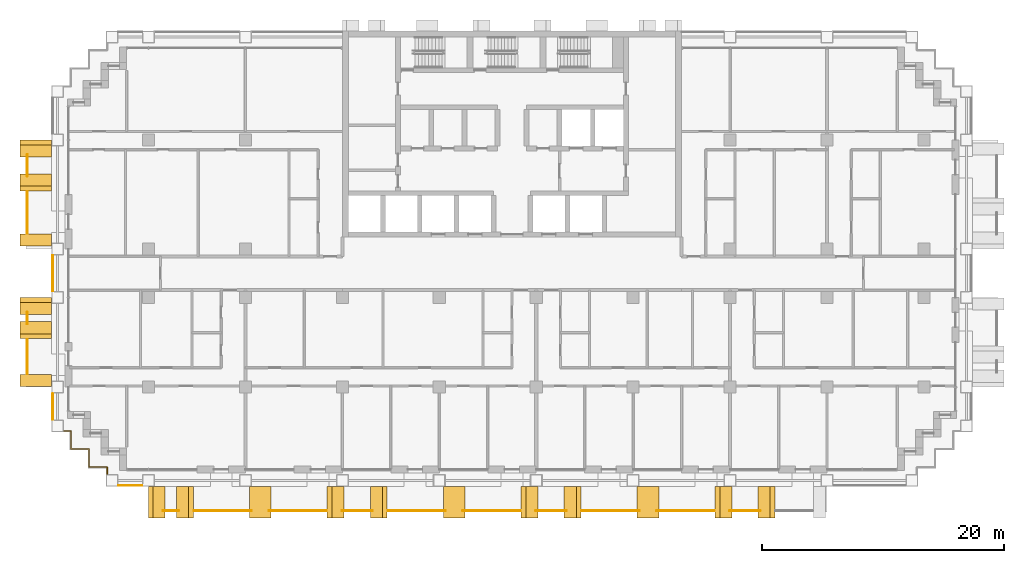
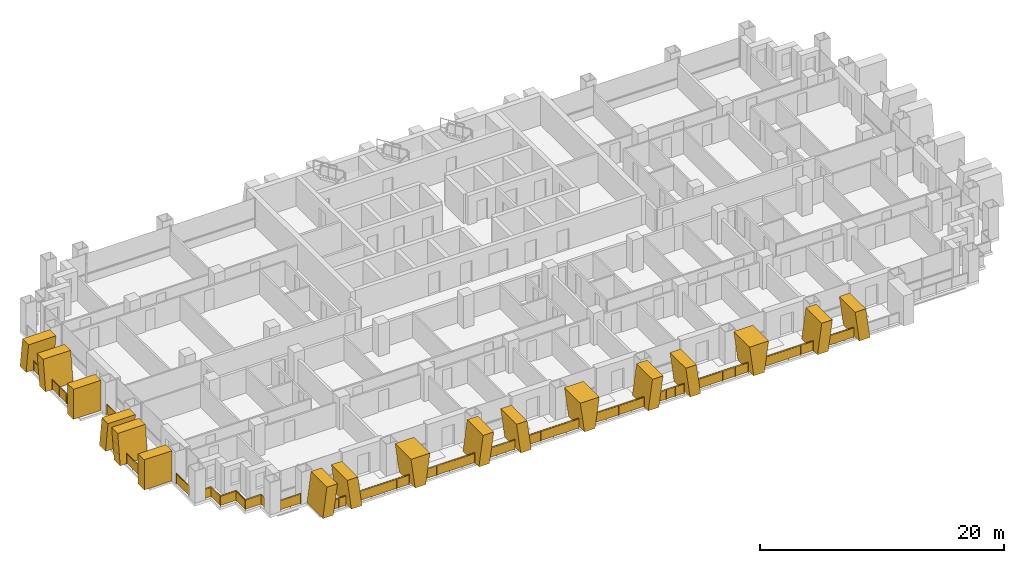
# One storey, part 15 of 18: 18 railings, 17 shading devices.
"""IFC4 building model written with IfcOpenShell, lengths in metres."""

from ifc_helpers import new_model, si_unit, direction, frame, origin, origin_2d, place, context, subcontext, project, spatial, polyline, rectangle, circle, outline, extrude, material, layer, layer_set, type_object, element, save


model = new_model("IFC4")

# Units and contexts
model_context = context("Model", 3, precision=1e-05, world=origin(), true_north=direction((0.0, 1.0)))
body_context = subcontext(model_context, "Body", "Model", "MODEL_VIEW")
ifc_project = project(units=[si_unit("LENGTHUNIT", "METRE"), si_unit("AREAUNIT", "SQUARE_METRE"), si_unit("VOLUMEUNIT", "CUBIC_METRE"), si_unit("PLANEANGLEUNIT", "RADIAN"), si_unit("MASSUNIT", "GRAM", prefix="KILO")], contexts=[model_context])

# Site, building, storey
site_placement = place(None, origin())
site = spatial("IfcSite", under=ifc_project, at=site_placement, CompositionType="ELEMENT")
building_placement = place(site_placement, origin())
building = spatial("IfcBuilding", under=site, at=building_placement, Name="Vidyagriha Tower", CompositionType="ELEMENT")
storey_placement = place(building_placement, frame((0.0, 0.0, 41.60009765625)))
storey = spatial("IfcBuildingStorey", under=building, at=storey_placement, Name="L10", CompositionType="ELEMENT", Elevation=41.60009765625)

# Railings
ifc_material_1 = material(Name="Steel ASTM A500 Grade C black painted", Category="steel")
railing_type_1 = type_object("IfcRailingType", Name="Balcony guard 1100", PredefinedType="BALUSTRADE", material=ifc_material_1)
railing_1_placement = place(storey_placement, frame((-40.0, 9.796630859375, 0.0)))
element("IfcRailing", 1, at=railing_1_placement, inside=storey, type_object=railing_type_1, Name="Balcony guard L10 R16.1-1", PredefinedType="BALUSTRADE", context=body_context, shape_type="SweptSolid", body=[
    extrude(circle(Radius=0.02490234375, at=origin_2d()), frame((0.0, 0.0, 1.0751953125), z_axis=(0.0, -1.0, 0.0), x_axis=(1.0, 0.0, 0.0)), (0.0, 0.0, 1.0), 1.793212890625),
    extrude(circle(Radius=0.02001953125, at=origin_2d()), origin(), (0.0, 0.0, 1.0), 1.050048828125),
    extrude(circle(Radius=0.02001953125, at=origin_2d()), frame((0.0, -0.896484375, 0.0)), (0.0, 0.0, 1.0), 1.050048828125),
    extrude(circle(Radius=0.02001953125, at=origin_2d()), frame((0.0, -1.793212890625, 0.0)), (0.0, 0.0, 1.0), 1.050048828125),
    extrude(rectangle(XDim=0.010009765625, YDim=0.900146484375, at=origin_2d()), frame((0.0, 0.0, 0.550048828125), z_axis=(0.0, -1.0, 0.0), x_axis=(1.0, 0.0, 0.0)), (0.0, 0.0, 1.0), 1.793212890625),
])
railing_2_placement = place(storey_placement, frame((-40.0, 6.75, 0.0)))
element("IfcRailing", 2, at=railing_2_placement, inside=storey, type_object=railing_type_1, Name="Balcony guard L10 R16.1-2", PredefinedType="BALUSTRADE", context=body_context, shape_type="SweptSolid", body=[
    extrude(circle(Radius=0.02490234375, at=origin_2d()), frame((0.0, 0.0, 1.0751953125), z_axis=(0.0, -1.0, 0.0), x_axis=(1.0, 0.0, 0.0)), (0.0, 0.0, 1.0), 3.449951171875),
    extrude(circle(Radius=0.02001953125, at=origin_2d()), origin(), (0.0, 0.0, 1.0), 1.050048828125),
    extrude(circle(Radius=0.02001953125, at=origin_2d()), frame((0.0, -1.14990234375, 0.0)), (0.0, 0.0, 1.0), 1.050048828125),
    extrude(circle(Radius=0.02001953125, at=origin_2d()), frame((0.0, -2.300048828125, 0.0)), (0.0, 0.0, 1.0), 1.050048828125),
    extrude(circle(Radius=0.02001953125, at=origin_2d()), frame((0.0, -3.449951171875, 0.0)), (0.0, 0.0, 1.0), 1.050048828125),
    extrude(rectangle(XDim=0.010009765625, YDim=0.900146484375, at=origin_2d()), frame((0.0, 0.0, 0.550048828125), z_axis=(0.0, -1.0, 0.0), x_axis=(1.0, 0.0, 0.0)), (0.0, 0.0, 1.0), 3.449951171875),
])
railing_3_placement = place(storey_placement, frame((-40.0, -3.203369140625, 0.0)))
element("IfcRailing", 3, at=railing_3_placement, inside=storey, type_object=railing_type_1, Name="Balcony guard L10 R16.2-1", PredefinedType="BALUSTRADE", context=body_context, shape_type="SweptSolid", body=[
    extrude(circle(Radius=0.02490234375, at=origin_2d()), frame((0.0, 0.0, 1.0751953125), z_axis=(0.0, -1.0, 0.0), x_axis=(1.0, 0.0, 0.0)), (0.0, 0.0, 1.0), 0.993408203125),
    extrude(circle(Radius=0.02001953125, at=origin_2d()), origin(), (0.0, 0.0, 1.0), 1.050048828125),
    extrude(circle(Radius=0.02001953125, at=origin_2d()), frame((0.0, -0.993408203125, 0.0)), (0.0, 0.0, 1.0), 1.050048828125),
    extrude(rectangle(XDim=0.010009765625, YDim=0.900146484375, at=origin_2d()), frame((0.0, 0.0, 0.550048828125), z_axis=(0.0, -1.0, 0.0), x_axis=(1.0, 0.0, 0.0)), (0.0, 0.0, 1.0), 0.993408203125),
])
railing_4_placement = place(storey_placement, frame((-40.0, -5.449951171875, 0.0)))
element("IfcRailing", 4, at=railing_4_placement, inside=storey, type_object=railing_type_1, Name="Balcony guard L10 R16.2-2", PredefinedType="BALUSTRADE", context=body_context, shape_type="SweptSolid", body=[
    extrude(circle(Radius=0.02490234375, at=origin_2d()), frame((0.0, 0.0, 1.0751953125), z_axis=(0.0, -1.0, 0.0), x_axis=(1.0, 0.0, 0.0)), (0.0, 0.0, 1.0), 2.85009765625),
    extrude(circle(Radius=0.02001953125, at=origin_2d()), origin(), (0.0, 0.0, 1.0), 1.050048828125),
    extrude(circle(Radius=0.02001953125, at=origin_2d()), frame((0.0, -0.949951171875, 0.0)), (0.0, 0.0, 1.0), 1.050048828125),
    extrude(circle(Radius=0.02001953125, at=origin_2d()), frame((0.0, -1.900146484375, 0.0)), (0.0, 0.0, 1.0), 1.050048828125),
    extrude(circle(Radius=0.02001953125, at=origin_2d()), frame((0.0, -2.85009765625, 0.0)), (0.0, 0.0, 1.0), 1.050048828125),
    extrude(rectangle(XDim=0.010009765625, YDim=0.900146484375, at=origin_2d()), frame((0.0, 0.0, 0.550048828125), z_axis=(0.0, -1.0, 0.0), x_axis=(1.0, 0.0, 0.0)), (0.0, 0.0, 1.0), 2.85009765625),
])
railing_5_placement = place(storey_placement, frame((-28.80224609375, -19.60009765625, 0.0)))
element("IfcRailing", 5, at=railing_5_placement, inside=storey, type_object=railing_type_1, Name="Balcony guard L10 R23.1-1", PredefinedType="BALUSTRADE", context=body_context, shape_type="SweptSolid", body=[
    extrude(circle(Radius=0.02490234375, at=origin_2d()), frame((0.0, 0.0, 1.0751953125), z_axis=(1.0, 0.0, 0.0), x_axis=(0.0, 1.0, 0.0)), (0.0, 0.0, 1.0), 1.304443359375),
    extrude(circle(Radius=0.02001953125, at=origin_2d()), origin(), (0.0, 0.0, 1.0), 1.050048828125),
    extrude(circle(Radius=0.02001953125, at=origin_2d()), frame((0.65234375, 0.0, 0.0)), (0.0, 0.0, 1.0), 1.050048828125),
    extrude(circle(Radius=0.02001953125, at=origin_2d()), frame((1.304443359375, 0.0, 0.0)), (0.0, 0.0, 1.0), 1.050048828125),
    extrude(rectangle(XDim=0.010009765625, YDim=0.900146484375, at=origin_2d()), frame((0.0, 0.0, 0.550048828125), z_axis=(1.0, 0.0, 0.0), x_axis=(0.0, 1.0, 0.0)), (0.0, 0.0, 1.0), 1.304443359375),
])
railing_6_placement = place(storey_placement, frame((-26.25, -19.60009765625, 0.0)))
element("IfcRailing", 6, at=railing_6_placement, inside=storey, type_object=railing_type_1, Name="Balcony guard L10 R23.1-2", PredefinedType="BALUSTRADE", context=body_context, shape_type="SweptSolid", body=[
    extrude(circle(Radius=0.02490234375, at=origin_2d()), frame((0.0, 0.0, 1.0751953125), z_axis=(1.0, 0.0, 0.0), x_axis=(0.0, 1.0, 0.0)), (0.0, 0.0, 1.0), 4.773681640625),
    extrude(circle(Radius=0.02001953125, at=origin_2d()), origin(), (0.0, 0.0, 1.0), 1.050048828125),
    extrude(circle(Radius=0.02001953125, at=origin_2d()), frame((1.193359375, 0.0, 0.0)), (0.0, 0.0, 1.0), 1.050048828125),
    extrude(circle(Radius=0.02001953125, at=origin_2d()), frame((2.38671875, 0.0, 0.0)), (0.0, 0.0, 1.0), 1.050048828125),
    extrude(circle(Radius=0.02001953125, at=origin_2d()), frame((3.580322265625, 0.0, 0.0)), (0.0, 0.0, 1.0), 1.050048828125),
    extrude(circle(Radius=0.02001953125, at=origin_2d()), frame((4.773681640625, 0.0, 0.0)), (0.0, 0.0, 1.0), 1.050048828125),
    extrude(rectangle(XDim=0.010009765625, YDim=0.900146484375, at=origin_2d()), frame((0.0, 0.0, 0.550048828125), z_axis=(1.0, 0.0, 0.0), x_axis=(0.0, 1.0, 0.0)), (0.0, 0.0, 1.0), 4.773681640625),
])
railing_7_placement = place(storey_placement, frame((-20.073486328125, -19.60009765625, 0.0)))
element("IfcRailing", 7, at=railing_7_placement, inside=storey, type_object=railing_type_1, Name="Balcony guard L10 R23.1-3", PredefinedType="BALUSTRADE", context=body_context, shape_type="SweptSolid", body=[
    extrude(circle(Radius=0.02490234375, at=origin_2d()), frame((0.0, 0.0, 1.0751953125), z_axis=(1.0, 0.0, 0.0), x_axis=(0.0, 1.0, 0.0)), (0.0, 0.0, 1.0), 4.7734375),
    extrude(circle(Radius=0.02001953125, at=origin_2d()), origin(), (0.0, 0.0, 1.0), 1.050048828125),
    extrude(circle(Radius=0.02001953125, at=origin_2d()), frame((1.193359375, 0.0, 0.0)), (0.0, 0.0, 1.0), 1.050048828125),
    extrude(circle(Radius=0.02001953125, at=origin_2d()), frame((2.38671875, 0.0, 0.0)), (0.0, 0.0, 1.0), 1.050048828125),
    extrude(circle(Radius=0.02001953125, at=origin_2d()), frame((3.580078125, 0.0, 0.0)), (0.0, 0.0, 1.0), 1.050048828125),
    extrude(circle(Radius=0.02001953125, at=origin_2d()), frame((4.7734375, 0.0, 0.0)), (0.0, 0.0, 1.0), 1.050048828125),
    extrude(rectangle(XDim=0.010009765625, YDim=0.900146484375, at=origin_2d()), frame((0.0, 0.0, 0.550048828125), z_axis=(1.0, 0.0, 0.0), x_axis=(0.0, 1.0, 0.0)), (0.0, 0.0, 1.0), 4.7734375),
])
railing_8_placement = place(storey_placement, frame((-14.048583984375, -19.60009765625, 0.0)))
element("IfcRailing", 8, at=railing_8_placement, inside=storey, type_object=railing_type_1, Name="Balcony guard L10 R23.1-4", PredefinedType="BALUSTRADE", context=body_context, shape_type="SweptSolid", body=[
    extrude(circle(Radius=0.02490234375, at=origin_2d()), frame((0.0, 0.0, 1.0751953125), z_axis=(1.0, 0.0, 0.0), x_axis=(0.0, 1.0, 0.0)), (0.0, 0.0, 1.0), 2.547119140625),
    extrude(circle(Radius=0.02001953125, at=origin_2d()), origin(), (0.0, 0.0, 1.0), 1.050048828125),
    extrude(circle(Radius=0.02001953125, at=origin_2d()), frame((0.84912109375, 0.0, 0.0)), (0.0, 0.0, 1.0), 1.050048828125),
    extrude(circle(Radius=0.02001953125, at=origin_2d()), frame((1.697998046875, 0.0, 0.0)), (0.0, 0.0, 1.0), 1.050048828125),
    extrude(circle(Radius=0.02001953125, at=origin_2d()), frame((2.547119140625, 0.0, 0.0)), (0.0, 0.0, 1.0), 1.050048828125),
    extrude(rectangle(XDim=0.010009765625, YDim=0.900146484375, at=origin_2d()), frame((0.0, 0.0, 0.550048828125), z_axis=(1.0, 0.0, 0.0), x_axis=(0.0, 1.0, 0.0)), (0.0, 0.0, 1.0), 2.547119140625),
])
railing_9_placement = place(storey_placement, frame((-10.25, -19.60009765625, 0.0)))
element("IfcRailing", 9, at=railing_9_placement, inside=storey, type_object=railing_type_1, Name="Balcony guard L10 R23.1-5", PredefinedType="BALUSTRADE", context=body_context, shape_type="SweptSolid", body=[
    extrude(circle(Radius=0.02490234375, at=origin_2d()), frame((0.0, 0.0, 1.0751953125), z_axis=(1.0, 0.0, 0.0), x_axis=(0.0, 1.0, 0.0)), (0.0, 0.0, 1.0), 4.773681640625),
    extrude(circle(Radius=0.02001953125, at=origin_2d()), origin(), (0.0, 0.0, 1.0), 1.050048828125),
    extrude(circle(Radius=0.02001953125, at=origin_2d()), frame((1.193359375, 0.0, 0.0)), (0.0, 0.0, 1.0), 1.050048828125),
    extrude(circle(Radius=0.02001953125, at=origin_2d()), frame((2.38671875, 0.0, 0.0)), (0.0, 0.0, 1.0), 1.050048828125),
    extrude(circle(Radius=0.02001953125, at=origin_2d()), frame((3.580322265625, 0.0, 0.0)), (0.0, 0.0, 1.0), 1.050048828125),
    extrude(circle(Radius=0.02001953125, at=origin_2d()), frame((4.773681640625, 0.0, 0.0)), (0.0, 0.0, 1.0), 1.050048828125),
    extrude(rectangle(XDim=0.010009765625, YDim=0.900146484375, at=origin_2d()), frame((0.0, 0.0, 0.550048828125), z_axis=(1.0, 0.0, 0.0), x_axis=(0.0, 1.0, 0.0)), (0.0, 0.0, 1.0), 4.773681640625),
])
railing_10_placement = place(storey_placement, frame((-4.073486328125, -19.60009765625, 0.0)))
element("IfcRailing", 10, at=railing_10_placement, inside=storey, type_object=railing_type_1, Name="Balcony guard L10 R23.1-6", PredefinedType="BALUSTRADE", context=body_context, shape_type="SweptSolid", body=[
    extrude(circle(Radius=0.02490234375, at=origin_2d()), frame((0.0, 0.0, 1.0751953125), z_axis=(1.0, 0.0, 0.0), x_axis=(0.0, 1.0, 0.0)), (0.0, 0.0, 1.0), 4.7734375),
    extrude(circle(Radius=0.02001953125, at=origin_2d()), origin(), (0.0, 0.0, 1.0), 1.050048828125),
    extrude(circle(Radius=0.02001953125, at=origin_2d()), frame((1.193359375, 0.0, 0.0)), (0.0, 0.0, 1.0), 1.050048828125),
    extrude(circle(Radius=0.02001953125, at=origin_2d()), frame((2.38671875, 0.0, 0.0)), (0.0, 0.0, 1.0), 1.050048828125),
    extrude(circle(Radius=0.02001953125, at=origin_2d()), frame((3.580078125, 0.0, 0.0)), (0.0, 0.0, 1.0), 1.050048828125),
    extrude(circle(Radius=0.02001953125, at=origin_2d()), frame((4.7734375, 0.0, 0.0)), (0.0, 0.0, 1.0), 1.050048828125),
    extrude(rectangle(XDim=0.010009765625, YDim=0.900146484375, at=origin_2d()), frame((0.0, 0.0, 0.550048828125), z_axis=(1.0, 0.0, 0.0), x_axis=(0.0, 1.0, 0.0)), (0.0, 0.0, 1.0), 4.7734375),
])
railing_11_placement = place(storey_placement, frame((1.951416015625, -19.60009765625, 0.0)))
element("IfcRailing", 11, at=railing_11_placement, inside=storey, type_object=railing_type_1, Name="Balcony guard L10 R23.1-7", PredefinedType="BALUSTRADE", context=body_context, shape_type="SweptSolid", body=[
    extrude(circle(Radius=0.02490234375, at=origin_2d()), frame((0.0, 0.0, 1.0751953125), z_axis=(1.0, 0.0, 0.0), x_axis=(0.0, 1.0, 0.0)), (0.0, 0.0, 1.0), 2.547119140625),
    extrude(circle(Radius=0.02001953125, at=origin_2d()), origin(), (0.0, 0.0, 1.0), 1.050048828125),
    extrude(circle(Radius=0.02001953125, at=origin_2d()), frame((0.84912109375, 0.0, 0.0)), (0.0, 0.0, 1.0), 1.050048828125),
    extrude(circle(Radius=0.02001953125, at=origin_2d()), frame((1.697998046875, 0.0, 0.0)), (0.0, 0.0, 1.0), 1.050048828125),
    extrude(circle(Radius=0.02001953125, at=origin_2d()), frame((2.547119140625, 0.0, 0.0)), (0.0, 0.0, 1.0), 1.050048828125),
    extrude(rectangle(XDim=0.010009765625, YDim=0.900146484375, at=origin_2d()), frame((0.0, 0.0, 0.550048828125), z_axis=(1.0, 0.0, 0.0), x_axis=(0.0, 1.0, 0.0)), (0.0, 0.0, 1.0), 2.547119140625),
])
railing_12_placement = place(storey_placement, frame((5.75, -19.60009765625, 0.0)))
element("IfcRailing", 12, at=railing_12_placement, inside=storey, type_object=railing_type_1, Name="Balcony guard L10 R23.1-8", PredefinedType="BALUSTRADE", context=body_context, shape_type="SweptSolid", body=[
    extrude(circle(Radius=0.02490234375, at=origin_2d()), frame((0.0, 0.0, 1.0751953125), z_axis=(1.0, 0.0, 0.0), x_axis=(0.0, 1.0, 0.0)), (0.0, 0.0, 1.0), 4.773681640625),
    extrude(circle(Radius=0.02001953125, at=origin_2d()), origin(), (0.0, 0.0, 1.0), 1.050048828125),
    extrude(circle(Radius=0.02001953125, at=origin_2d()), frame((1.193359375, 0.0, 0.0)), (0.0, 0.0, 1.0), 1.050048828125),
    extrude(circle(Radius=0.02001953125, at=origin_2d()), frame((2.38671875, 0.0, 0.0)), (0.0, 0.0, 1.0), 1.050048828125),
    extrude(circle(Radius=0.02001953125, at=origin_2d()), frame((3.580322265625, 0.0, 0.0)), (0.0, 0.0, 1.0), 1.050048828125),
    extrude(circle(Radius=0.02001953125, at=origin_2d()), frame((4.773681640625, 0.0, 0.0)), (0.0, 0.0, 1.0), 1.050048828125),
    extrude(rectangle(XDim=0.010009765625, YDim=0.900146484375, at=origin_2d()), frame((0.0, 0.0, 0.550048828125), z_axis=(1.0, 0.0, 0.0), x_axis=(0.0, 1.0, 0.0)), (0.0, 0.0, 1.0), 4.773681640625),
])
railing_13_placement = place(storey_placement, frame((11.926513671875, -19.60009765625, 0.0)))
element("IfcRailing", 13, at=railing_13_placement, inside=storey, type_object=railing_type_1, Name="Balcony guard L10 R23.1-9", PredefinedType="BALUSTRADE", context=body_context, shape_type="SweptSolid", body=[
    extrude(circle(Radius=0.02490234375, at=origin_2d()), frame((0.0, 0.0, 1.0751953125), z_axis=(1.0, 0.0, 0.0), x_axis=(0.0, 1.0, 0.0)), (0.0, 0.0, 1.0), 4.7734375),
    extrude(circle(Radius=0.02001953125, at=origin_2d()), origin(), (0.0, 0.0, 1.0), 1.050048828125),
    extrude(circle(Radius=0.02001953125, at=origin_2d()), frame((1.193359375, 0.0, 0.0)), (0.0, 0.0, 1.0), 1.050048828125),
    extrude(circle(Radius=0.02001953125, at=origin_2d()), frame((2.38671875, 0.0, 0.0)), (0.0, 0.0, 1.0), 1.050048828125),
    extrude(circle(Radius=0.02001953125, at=origin_2d()), frame((3.580078125, 0.0, 0.0)), (0.0, 0.0, 1.0), 1.050048828125),
    extrude(circle(Radius=0.02001953125, at=origin_2d()), frame((4.7734375, 0.0, 0.0)), (0.0, 0.0, 1.0), 1.050048828125),
    extrude(rectangle(XDim=0.010009765625, YDim=0.900146484375, at=origin_2d()), frame((0.0, 0.0, 0.550048828125), z_axis=(1.0, 0.0, 0.0), x_axis=(0.0, 1.0, 0.0)), (0.0, 0.0, 1.0), 4.7734375),
])
railing_14_placement = place(storey_placement, frame((17.951416015625, -19.60009765625, 0.0)))
element("IfcRailing", 14, at=railing_14_placement, inside=storey, type_object=railing_type_1, Name="Balcony guard L10 R23.1-10", PredefinedType="BALUSTRADE", context=body_context, shape_type="SweptSolid", body=[
    extrude(circle(Radius=0.02490234375, at=origin_2d()), frame((0.0, 0.0, 1.0751953125), z_axis=(1.0, 0.0, 0.0), x_axis=(0.0, 1.0, 0.0)), (0.0, 0.0, 1.0), 2.547119140625),
    extrude(circle(Radius=0.02001953125, at=origin_2d()), origin(), (0.0, 0.0, 1.0), 1.050048828125),
    extrude(circle(Radius=0.02001953125, at=origin_2d()), frame((0.84912109375, 0.0, 0.0)), (0.0, 0.0, 1.0), 1.050048828125),
    extrude(circle(Radius=0.02001953125, at=origin_2d()), frame((1.697998046875, 0.0, 0.0)), (0.0, 0.0, 1.0), 1.050048828125),
    extrude(circle(Radius=0.02001953125, at=origin_2d()), frame((2.547119140625, 0.0, 0.0)), (0.0, 0.0, 1.0), 1.050048828125),
    extrude(rectangle(XDim=0.010009765625, YDim=0.900146484375, at=origin_2d()), frame((0.0, 0.0, 0.550048828125), z_axis=(1.0, 0.0, 0.0), x_axis=(0.0, 1.0, 0.0)), (0.0, 0.0, 1.0), 2.547119140625),
])

# Shading devices
ifc_material_2 = material(Name="Precast concrete C40/50 with buff brick facing", Category="concrete")
ifc_layer_1 = layer(ifc_material_2, 1.0)
ifc_layer_set_1 = layer_set([ifc_layer_1], Name="Precast concrete C40/50 with buff brick facing")
shading_device_type_1 = type_object("IfcShadingDeviceType", Name="Brick-faced blade fin arm leaning 8 degrees", PredefinedType="USERDEFINED", material=ifc_layer_set_1)
shading_device_1_placement = place(storey_placement, frame((-39.300048828125, 11.0, 0.0), z_axis=(0.0, 0.0, 1.0), x_axis=(0.0, -1.0, 0.0)))
element("IfcShadingDevice", 15, at=shading_device_1_placement, inside=storey, type_object=shading_device_type_1, Name="Leaning blade fin L10 R16.280a", ObjectType="BLADE FIN", PredefinedType="USERDEFINED", context=body_context, shape_type="SweptSolid", body=[
    extrude(outline(polyline([(0.0, 0.0), (1.0, 0.0), (1.39990234375, 3.0), (0.39990234375, 3.0), (0.0, 0.0)])), frame((0.0, 1.300048828125, 0.0), z_axis=(0.0, -1.0, 0.0), x_axis=(1.0, 0.0, 0.0)), (0.0, 0.0, 1.0), 2.60009765625),
])
shading_device_2_placement = place(storey_placement, frame((-39.300048828125, 8.199951171875, 0.0), z_axis=(0.0, 0.0, 1.0), x_axis=(0.0, -1.0, 0.0)))
element("IfcShadingDevice", 16, at=shading_device_2_placement, inside=storey, type_object=shading_device_type_1, Name="Leaning blade fin L10 R16.280b", ObjectType="BLADE FIN", PredefinedType="USERDEFINED", context=body_context, shape_type="SweptSolid", body=[
    extrude(outline(polyline([(0.39990234375, 0.0), (1.39990234375, 0.0), (1.0, 3.0), (0.0, 3.0), (0.39990234375, 0.0)])), frame((0.0, 1.300048828125, 0.0), z_axis=(0.0, -1.0, 0.0), x_axis=(1.0, 0.0, 0.0)), (0.0, 0.0, 1.0), 2.60009765625),
])
shading_device_3_placement = place(storey_placement, frame((-39.300048828125, -2.0, 0.0), z_axis=(0.0, 0.0, 1.0), x_axis=(0.0, -1.0, 0.0)))
element("IfcShadingDevice", 17, at=shading_device_3_placement, inside=storey, type_object=shading_device_type_1, Name="Leaning blade fin L10 R16.1580a", ObjectType="BLADE FIN", PredefinedType="USERDEFINED", context=body_context, shape_type="SweptSolid", body=[
    extrude(outline(polyline([(0.0, 0.0), (1.0, 0.0), (1.39990234375, 3.0), (0.39990234375, 3.0), (0.0, 0.0)])), frame((0.0, 1.300048828125, 0.0), z_axis=(0.0, -1.0, 0.0), x_axis=(1.0, 0.0, 0.0)), (0.0, 0.0, 1.0), 2.60009765625),
])
shading_device_4_placement = place(storey_placement, frame((-39.300048828125, -4.0, 0.0), z_axis=(0.0, 0.0, 1.0), x_axis=(0.0, -1.0, 0.0)))
element("IfcShadingDevice", 18, at=shading_device_4_placement, inside=storey, type_object=shading_device_type_1, Name="Leaning blade fin L10 R16.1580b", ObjectType="BLADE FIN", PredefinedType="USERDEFINED", context=body_context, shape_type="SweptSolid", body=[
    extrude(outline(polyline([(0.39990234375, 0.0), (1.39990234375, 0.0), (1.0, 3.0), (0.0, 3.0), (0.39990234375, 0.0)])), frame((0.0, 1.300048828125, 0.0), z_axis=(0.0, -1.0, 0.0), x_axis=(1.0, 0.0, 0.0)), (0.0, 0.0, 1.0), 2.60009765625),
])
shading_device_5_placement = place(storey_placement, frame((-30.0, -18.89990234375, 0.0)))
element("IfcShadingDevice", 19, at=shading_device_5_placement, inside=storey, type_object=shading_device_type_1, Name="Leaning blade fin L10 R23.180a", ObjectType="BLADE FIN", PredefinedType="USERDEFINED", context=body_context, shape_type="SweptSolid", body=[
    extrude(outline(polyline([(0.0, 0.0), (1.0, 0.0), (1.3857421875, 3.0), (0.3857421875, 3.0), (0.0, 0.0)])), frame((0.0, 1.300048828125, 0.0), z_axis=(0.0, -1.0, 0.0), x_axis=(1.0, 0.0, 0.0)), (0.0, 0.0, 1.0), 2.60009765625),
])
shading_device_6_placement = place(storey_placement, frame((-27.685791015625, -18.89990234375, 0.0)))
element("IfcShadingDevice", 20, at=shading_device_6_placement, inside=storey, type_object=shading_device_type_1, Name="Leaning blade fin L10 R23.180b", ObjectType="BLADE FIN", PredefinedType="USERDEFINED", context=body_context, shape_type="SweptSolid", body=[
    extrude(outline(polyline([(0.3857421875, 0.0), (1.3857421875, 0.0), (1.0, 3.0), (0.0, 3.0), (0.3857421875, 0.0)])), frame((0.0, 1.300048828125, 0.0), z_axis=(0.0, -1.0, 0.0), x_axis=(1.0, 0.0, 0.0)), (0.0, 0.0, 1.0), 2.60009765625),
])
shading_device_7_placement = place(storey_placement, frame((-15.25, -18.89990234375, 0.0)))
element("IfcShadingDevice", 21, at=shading_device_7_placement, inside=storey, type_object=shading_device_type_1, Name="Leaning blade fin L10 R23.1780a", ObjectType="BLADE FIN", PredefinedType="USERDEFINED", context=body_context, shape_type="SweptSolid", body=[
    extrude(outline(polyline([(0.0, 0.0), (1.0, 0.0), (1.39501953125, 3.0), (0.39501953125, 3.0), (0.0, 0.0)])), frame((0.0, 1.300048828125, 0.0), z_axis=(0.0, -1.0, 0.0), x_axis=(1.0, 0.0, 0.0)), (0.0, 0.0, 1.0), 2.60009765625),
])
shading_device_8_placement = place(storey_placement, frame((-11.695068359375, -18.89990234375, 0.0)))
element("IfcShadingDevice", 22, at=shading_device_8_placement, inside=storey, type_object=shading_device_type_1, Name="Leaning blade fin L10 R23.1780b", ObjectType="BLADE FIN", PredefinedType="USERDEFINED", context=body_context, shape_type="SweptSolid", body=[
    extrude(outline(polyline([(0.39501953125, 0.0), (1.39501953125, 0.0), (1.0, 3.0), (0.0, 3.0), (0.39501953125, 0.0)])), frame((0.0, 1.300048828125, 0.0), z_axis=(0.0, -1.0, 0.0), x_axis=(1.0, 0.0, 0.0)), (0.0, 0.0, 1.0), 2.60009765625),
])
shading_device_9_placement = place(storey_placement, frame((0.75, -18.89990234375, 0.0)))
element("IfcShadingDevice", 23, at=shading_device_9_placement, inside=storey, type_object=shading_device_type_1, Name="Leaning blade fin L10 R23.3380a", ObjectType="BLADE FIN", PredefinedType="USERDEFINED", context=body_context, shape_type="SweptSolid", body=[
    extrude(outline(polyline([(0.0, 0.0), (1.0, 0.0), (1.39501953125, 3.0), (0.39501953125, 3.0), (0.0, 0.0)])), frame((0.0, 1.300048828125, 0.0), z_axis=(0.0, -1.0, 0.0), x_axis=(1.0, 0.0, 0.0)), (0.0, 0.0, 1.0), 2.60009765625),
])
shading_device_10_placement = place(storey_placement, frame((4.304931640625, -18.89990234375, 0.0)))
element("IfcShadingDevice", 24, at=shading_device_10_placement, inside=storey, type_object=shading_device_type_1, Name="Leaning blade fin L10 R23.3380b", ObjectType="BLADE FIN", PredefinedType="USERDEFINED", context=body_context, shape_type="SweptSolid", body=[
    extrude(outline(polyline([(0.39501953125, 0.0), (1.39501953125, 0.0), (1.0, 3.0), (0.0, 3.0), (0.39501953125, 0.0)])), frame((0.0, 1.300048828125, 0.0), z_axis=(0.0, -1.0, 0.0), x_axis=(1.0, 0.0, 0.0)), (0.0, 0.0, 1.0), 2.60009765625),
])
shading_device_11_placement = place(storey_placement, frame((16.75, -18.89990234375, 0.0)))
element("IfcShadingDevice", 25, at=shading_device_11_placement, inside=storey, type_object=shading_device_type_1, Name="Leaning blade fin L10 R23.4980a", ObjectType="BLADE FIN", PredefinedType="USERDEFINED", context=body_context, shape_type="SweptSolid", body=[
    extrude(outline(polyline([(0.0, 0.0), (1.0, 0.0), (1.39501953125, 3.0), (0.39501953125, 3.0), (0.0, 0.0)])), frame((0.0, 1.300048828125, 0.0), z_axis=(0.0, -1.0, 0.0), x_axis=(1.0, 0.0, 0.0)), (0.0, 0.0, 1.0), 2.60009765625),
])
shading_device_12_placement = place(storey_placement, frame((20.304931640625, -18.89990234375, 0.0)))
element("IfcShadingDevice", 26, at=shading_device_12_placement, inside=storey, type_object=shading_device_type_1, Name="Leaning blade fin L10 R23.4980b", ObjectType="BLADE FIN", PredefinedType="USERDEFINED", context=body_context, shape_type="SweptSolid", body=[
    extrude(outline(polyline([(0.39501953125, 0.0), (1.39501953125, 0.0), (1.0, 3.0), (0.0, 3.0), (0.39501953125, 0.0)])), frame((0.0, 1.300048828125, 0.0), z_axis=(0.0, -1.0, 0.0), x_axis=(1.0, 0.0, 0.0)), (0.0, 0.0, 1.0), 2.60009765625),
])
ifc_material_3 = material(Name="Precast concrete C40/50 with buff brick facing", Category="concrete")
ifc_layer_2 = layer(ifc_material_3, 1.0)
ifc_layer_set_2 = layer_set([ifc_layer_2], Name="Precast concrete C40/50 with buff brick facing")
shading_device_type_2 = type_object("IfcShadingDeviceType", Name="Brick-faced blade fin forking 8 degrees", PredefinedType="USERDEFINED", material=ifc_layer_set_2)
for number, where, name in (
    (27, (-21.669921875, -18.89990234375, 0.0), "Forked blade fin L10 R23.980a"),
    (28, (-5.669921875, -18.89990234375, 0.0), "Forked blade fin L10 R23.2580a"),
    (29, (10.330078125, -18.89990234375, 0.0), "Forked blade fin L10 R23.4180a"),
):
    element("IfcShadingDevice", number, at=place(storey_placement, frame(where)), inside=storey, type_object=shading_device_type_2, Name=name, ObjectType="BLADE FIN", PredefinedType="USERDEFINED", context=body_context, shape_type="SweptSolid", body=[
        extrude(outline(polyline([(0.39501953125, 0.0), (1.39501953125, 0.0), (1.7900390625, 3.0), (0.0, 3.0), (0.39501953125, 0.0)])), frame((0.0, 1.300048828125, 0.0), z_axis=(0.0, -1.0, 0.0), x_axis=(1.0, 0.0, 0.0)), (0.0, 0.0, 1.0), 2.60009765625),
    ])
ifc_material_4 = material(Name="Precast concrete C40/50 with buff brick facing", Category="concrete")
ifc_layer_3 = layer(ifc_material_4, 1.0)
ifc_layer_set_3 = layer_set([ifc_layer_3], Name="Precast concrete C40/50 with buff brick facing")
shading_device_type_3 = type_object("IfcShadingDeviceType", Name="Brick-faced blade fin stem 1000", PredefinedType="USERDEFINED", material=ifc_layer_set_3)
for number, where, z_axis, x_axis, name in (
    (30, (-39.300048828125, 3.25, 0.0), (0.0, 0.0, 1.0), (0.0, -1.0, 0.0), "Stem blade fin L10 R16.1180a"),
    (31, (-39.300048828125, -8.35009765625, 0.0), (0.0, 0.0, 1.0), (0.0, -1.0, 0.0), "Stem blade fin L10 R16.2320a"),
):
    element("IfcShadingDevice", number, at=place(storey_placement, frame(where, z_axis=z_axis, x_axis=x_axis)), inside=storey, type_object=shading_device_type_3, Name=name, ObjectType="BLADE FIN", PredefinedType="USERDEFINED", context=body_context, shape_type="SweptSolid", body=[
        extrude(outline(polyline([(0.0, 0.0), (1.0, 0.0), (1.0, 3.0), (0.0, 3.0), (0.0, 0.0)])), frame((0.0, 1.300048828125, 0.0), z_axis=(0.0, -1.0, 0.0), x_axis=(1.0, 0.0, 0.0)), (0.0, 0.0, 1.0), 2.60009765625),
    ])

# Railings
ifc_material_5 = material(Name="Steel ASTM A500 Grade C black painted", Category="steel")
railing_type_2 = type_object("IfcRailingType", Name="Gallery guard 1100", PredefinedType="GUARDRAIL", material=ifc_material_5)
railing_15_placement = place(storey_placement, frame((-37.89990234375, -12.070068359375, 0.0)))
element("IfcRailing", 32, at=railing_15_placement, inside=storey, type_object=railing_type_2, Name="Gallery guard L10 1", PredefinedType="GUARDRAIL", context=body_context, shape_type="SweptSolid", body=[
    extrude(circle(Radius=0.02490234375, at=origin_2d()), frame((0.0, 0.0, 1.0751953125), z_axis=(0.0, 1.0, 0.0), x_axis=(-1.0, 0.0, 0.0)), (0.0, 0.0, 1.0), 2.14013671875),
    extrude(circle(Radius=0.02001953125, at=origin_2d()), origin(), (0.0, 0.0, 1.0), 1.050048828125),
    extrude(circle(Radius=0.02001953125, at=origin_2d()), frame((0.0, 1.070068359375, 0.0)), (0.0, 0.0, 1.0), 1.050048828125),
    extrude(circle(Radius=0.02001953125, at=origin_2d()), frame((0.0, 2.14013671875, 0.0)), (0.0, 0.0, 1.0), 1.050048828125),
    extrude(rectangle(XDim=0.010009765625, YDim=0.900146484375, at=origin_2d()), frame((0.0, 0.0, 0.550048828125), z_axis=(0.0, 1.0, 0.0), x_axis=(-1.0, 0.0, 0.0)), (0.0, 0.0, 1.0), 2.14013671875),
])
railing_16_placement = place(storey_placement, frame((-37.89990234375, -1.469970703125, 0.0)))
element("IfcRailing", 33, at=railing_16_placement, inside=storey, type_object=railing_type_2, Name="Gallery guard L10 2", PredefinedType="GUARDRAIL", context=body_context, shape_type="SweptSolid", body=[
    extrude(circle(Radius=0.02490234375, at=origin_2d()), frame((0.0, 0.0, 1.0751953125), z_axis=(0.0, 1.0, 0.0), x_axis=(-1.0, 0.0, 0.0)), (0.0, 0.0, 1.0), 2.93994140625),
    extrude(circle(Radius=0.02001953125, at=origin_2d()), origin(), (0.0, 0.0, 1.0), 1.050048828125),
    extrude(circle(Radius=0.02001953125, at=origin_2d()), frame((0.0, 1.469970703125, 0.0)), (0.0, 0.0, 1.0), 1.050048828125),
    extrude(circle(Radius=0.02001953125, at=origin_2d()), frame((0.0, 2.93994140625, 0.0)), (0.0, 0.0, 1.0), 1.050048828125),
    extrude(rectangle(XDim=0.010009765625, YDim=0.900146484375, at=origin_2d()), frame((0.0, 0.0, 0.550048828125), z_axis=(0.0, 1.0, 0.0), x_axis=(-1.0, 0.0, 0.0)), (0.0, 0.0, 1.0), 2.93994140625),
])
railing_17_placement = place(storey_placement, frame((-33.39990234375, -16.570068359375, 0.0)))
element("IfcRailing", 34, at=railing_17_placement, inside=storey, type_object=railing_type_2, Name="Gallery guard L10 4", PredefinedType="GUARDRAIL", context=body_context, shape_type="SweptSolid", body=[
    extrude(circle(Radius=0.02490234375, at=origin_2d()), frame((0.0, 0.0, 1.0751953125), z_axis=(0.0, 1.0, 0.0), x_axis=(-1.0, 0.0, 0.0)), (0.0, 0.0, 1.0), 0.570068359375),
    extrude(circle(Radius=0.02490234375, at=origin_2d()), frame((0.0, 0.570068359375, 1.0751953125), z_axis=(-1.0, 0.0, 0.0), x_axis=(0.0, -1.0, 0.0)), (0.0, 0.0, 1.0), 1.5),
    extrude(circle(Radius=0.02490234375, at=origin_2d()), frame((-1.5, 0.570068359375, 1.0751953125), z_axis=(0.0, 1.0, 0.0), x_axis=(-1.0, 0.0, 0.0)), (0.0, 0.0, 1.0), 1.5),
    extrude(circle(Radius=0.02490234375, at=origin_2d()), frame((-1.5, 2.070068359375, 1.0751953125), z_axis=(-1.0, 0.0, 0.0), x_axis=(0.0, -1.0, 0.0)), (0.0, 0.0, 1.0), 1.5),
    extrude(circle(Radius=0.02490234375, at=origin_2d()), frame((-3.0, 2.070068359375, 1.0751953125), z_axis=(0.0, 1.0, 0.0), x_axis=(-1.0, 0.0, 0.0)), (0.0, 0.0, 1.0), 1.5),
    extrude(circle(Radius=0.02490234375, at=origin_2d()), frame((-3.0, 3.570068359375, 1.0751953125), z_axis=(-1.0, 0.0, 0.0), x_axis=(0.0, -1.0, 0.0)), (0.0, 0.0, 1.0), 0.570068359375),
    extrude(circle(Radius=0.02001953125, at=origin_2d()), origin(), (0.0, 0.0, 1.0), 1.050048828125),
    extrude(circle(Radius=0.02001953125, at=origin_2d()), frame((0.0, 0.570068359375, 0.0)), (0.0, 0.0, 1.0), 1.050048828125),
    extrude(circle(Radius=0.02001953125, at=origin_2d()), frame((-1.5, 0.570068359375, 0.0)), (0.0, 0.0, 1.0), 1.050048828125),
    extrude(circle(Radius=0.02001953125, at=origin_2d()), frame((-1.5, 2.070068359375, 0.0)), (0.0, 0.0, 1.0), 1.050048828125),
    extrude(circle(Radius=0.02001953125, at=origin_2d()), frame((-3.0, 2.070068359375, 0.0)), (0.0, 0.0, 1.0), 1.050048828125),
    extrude(circle(Radius=0.02001953125, at=origin_2d()), frame((-3.0, 3.570068359375, 0.0)), (0.0, 0.0, 1.0), 1.050048828125),
    extrude(circle(Radius=0.02001953125, at=origin_2d()), frame((-3.570068359375, 3.570068359375, 0.0)), (0.0, 0.0, 1.0), 1.050048828125),
    extrude(rectangle(XDim=0.010009765625, YDim=0.900146484375, at=origin_2d()), frame((0.0, 0.0, 0.550048828125), z_axis=(0.0, 1.0, 0.0), x_axis=(-1.0, 0.0, 0.0)), (0.0, 0.0, 1.0), 0.570068359375),
    extrude(rectangle(XDim=0.010009765625, YDim=0.900146484375, at=origin_2d()), frame((0.0, 0.570068359375, 0.550048828125), z_axis=(-1.0, 0.0, 0.0), x_axis=(0.0, -1.0, 0.0)), (0.0, 0.0, 1.0), 1.5),
    extrude(rectangle(XDim=0.010009765625, YDim=0.900146484375, at=origin_2d()), frame((-1.5, 0.570068359375, 0.550048828125), z_axis=(0.0, 1.0, 0.0), x_axis=(-1.0, 0.0, 0.0)), (0.0, 0.0, 1.0), 1.5),
    extrude(rectangle(XDim=0.010009765625, YDim=0.900146484375, at=origin_2d()), frame((-1.5, 2.070068359375, 0.550048828125), z_axis=(-1.0, 0.0, 0.0), x_axis=(0.0, -1.0, 0.0)), (0.0, 0.0, 1.0), 1.5),
    extrude(rectangle(XDim=0.010009765625, YDim=0.900146484375, at=origin_2d()), frame((-3.0, 2.070068359375, 0.550048828125), z_axis=(0.0, 1.0, 0.0), x_axis=(-1.0, 0.0, 0.0)), (0.0, 0.0, 1.0), 1.5),
    extrude(rectangle(XDim=0.010009765625, YDim=0.900146484375, at=origin_2d()), frame((-3.0, 3.570068359375, 0.550048828125), z_axis=(-1.0, 0.0, 0.0), x_axis=(0.0, -1.0, 0.0)), (0.0, 0.0, 1.0), 0.570068359375),
])
railing_18_placement = place(storey_placement, frame((-30.530029296875, -17.5, 0.0)))
element("IfcRailing", 35, at=railing_18_placement, inside=storey, type_object=railing_type_2, Name="Gallery guard L10 6", PredefinedType="GUARDRAIL", context=body_context, shape_type="SweptSolid", body=[
    extrude(circle(Radius=0.02490234375, at=origin_2d()), frame((0.0, 0.0, 1.0751953125), z_axis=(-1.0, 0.0, 0.0), x_axis=(0.0, -1.0, 0.0)), (0.0, 0.0, 1.0), 1.93994140625),
    extrude(circle(Radius=0.02001953125, at=origin_2d()), origin(), (0.0, 0.0, 1.0), 1.050048828125),
    extrude(circle(Radius=0.02001953125, at=origin_2d()), frame((-0.969970703125, 0.0, 0.0)), (0.0, 0.0, 1.0), 1.050048828125),
    extrude(circle(Radius=0.02001953125, at=origin_2d()), frame((-1.93994140625, 0.0, 0.0)), (0.0, 0.0, 1.0), 1.050048828125),
    extrude(rectangle(XDim=0.010009765625, YDim=0.900146484375, at=origin_2d()), frame((0.0, 0.0, 0.550048828125), z_axis=(-1.0, 0.0, 0.0), x_axis=(0.0, -1.0, 0.0)), (0.0, 0.0, 1.0), 1.93994140625),
])

save(model, "model.ifc")
